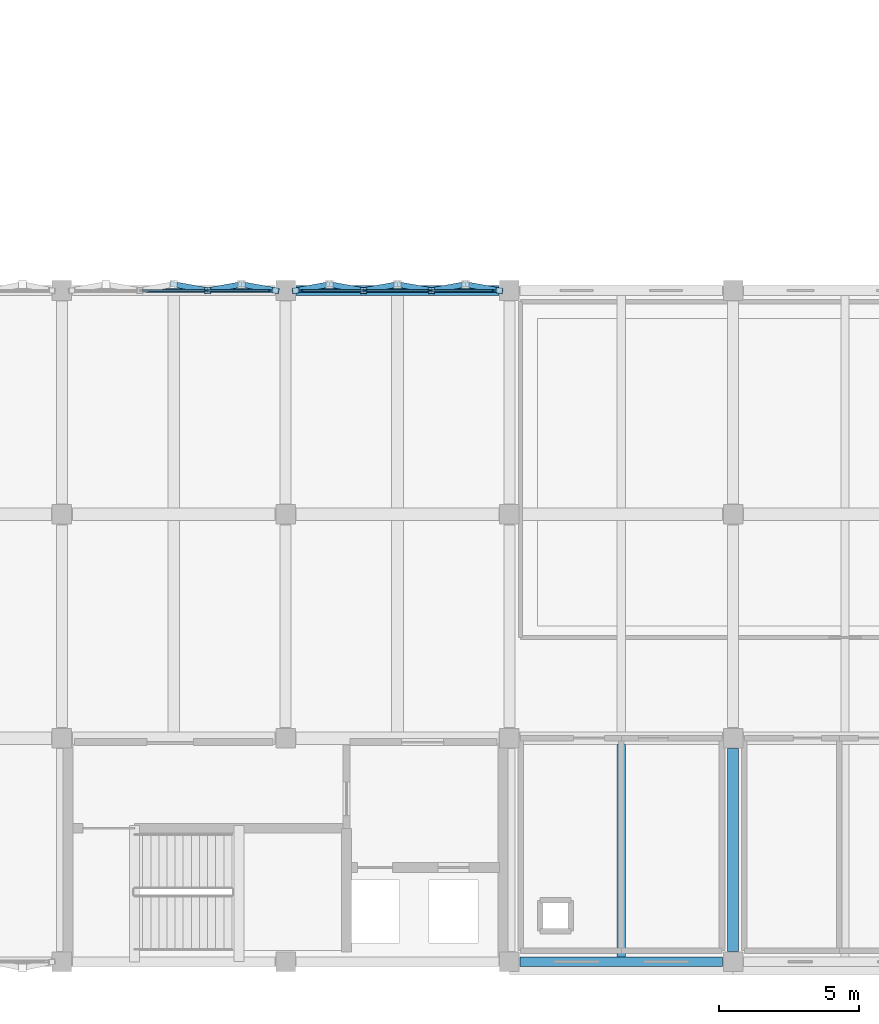
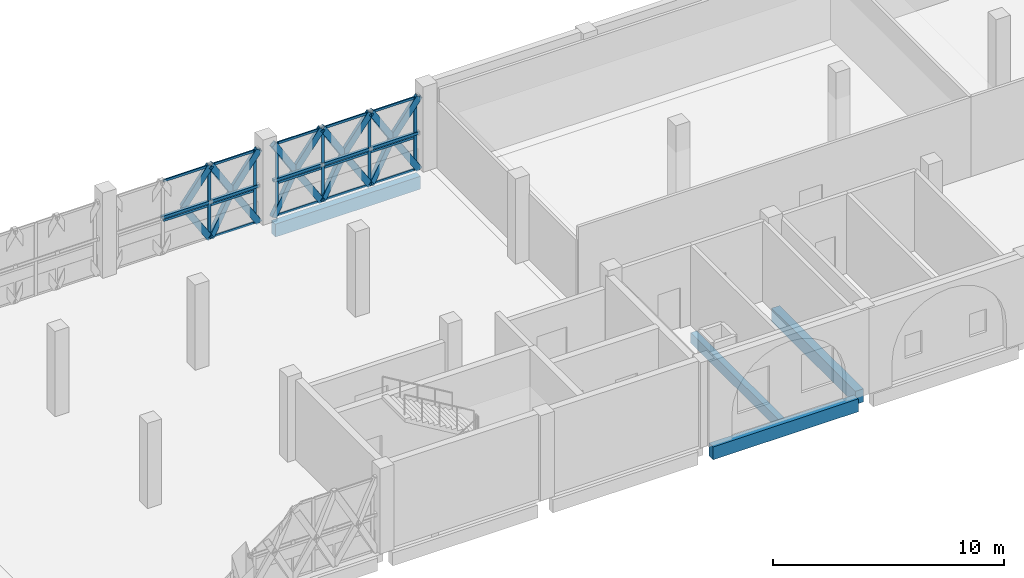
# One storey, part 16 of 45: 43 members, 4 beams, 2 elements without a shape of their own.
"""IFC4 building model written with IfcOpenShell, lengths in metres."""

from ifc_helpers import new_model, si_unit, direction, frame, origin, origin_2d, place, context, subcontext, project, spatial, rectangle, hollow_rectangle, extrude, material, layer, layer_set, material_profile, profile_set, type_object, element, aggregate, save


model = new_model("IFC4")

# Units and contexts
model_context = context("Model", 3, precision=1e-05, world=origin(), true_north=direction((0.0, 1.0)))
body_context = subcontext(model_context, "Body", "Model", "MODEL_VIEW")
ifc_project = project(units=[si_unit("LENGTHUNIT", "METRE"), si_unit("AREAUNIT", "SQUARE_METRE"), si_unit("VOLUMEUNIT", "CUBIC_METRE"), si_unit("PLANEANGLEUNIT", "RADIAN"), si_unit("MASSUNIT", "GRAM", prefix="KILO")], contexts=[model_context])

# Site, building, storey
site_placement = place(None, origin())
site = spatial("IfcSite", under=ifc_project, at=site_placement, CompositionType="ELEMENT")
building_placement = place(site_placement, origin())
building = spatial("IfcBuilding", under=site, at=building_placement, Name="Qorikala Patio Media Centre", CompositionType="ELEMENT")
storey_placement = place(building_placement, frame((0.0, 0.0, 9.89990234375)))
storey = spatial("IfcBuildingStorey", under=building, at=storey_placement, Name="L02", CompositionType="ELEMENT", Elevation=9.89990234375)

# Beam
ifc_material_1 = material(Name="Concrete C35/45", Category="concrete")
ifc_material_profile_1 = material_profile(ifc_material_1, rectangle(XDim=0.39990234375, YDim=0.699951171875, at=origin_2d()), Name="RC 400x700")
ifc_profile_set_1 = profile_set([ifc_material_profile_1], Name="Concrete C35/45")
beam_type_1 = type_object("IfcBeamType", Name="BM-G400X700", PredefinedType="BEAM", material=ifc_profile_set_1)
beam_1_placement = place(storey_placement, frame((106.0, 3.375, -0.64990234375), z_axis=(0.0, 1.0, 0.0), x_axis=(-1.0, 0.0, 0.0)))
element("IfcBeam", 1, at=beam_1_placement, inside=storey, type_object=beam_type_1, Name="L02 Grid X=106 Beam 0986", PredefinedType="BEAM", context=body_context, shape_type="SweptSolid", body=[
    extrude(rectangle(XDim=0.39990234375, YDim=0.699951171875, at=origin_2d()), origin(), (0.0, 0.0, 1.0), 7.25),
])

# Members
ifc_material_2 = material(Name="Golden Bronze Coated Steel S355", Category="steel")
ifc_material_profile_2 = material_profile(ifc_material_2, hollow_rectangle(XDim=0.139892578125, YDim=0.139892578125, WallThickness=0.006103515625, at=origin_2d()), Name="HSS140X140X6")
ifc_profile_set_2 = profile_set([ifc_material_profile_2], Name="Golden Bronze Coated Steel S355")
member_type_1 = type_object("IfcMemberType", Name="BRACE-DIA140", PredefinedType="BRACE", material=ifc_profile_set_2)
member_1_placement = place(storey_placement, frame((84.78662109375, 27.0, 1.925048828125), z_axis=(1.0, 0.0, 0.0), x_axis=(0.0, 1.0, 0.0)))
element("IfcMember", 2, at=member_1_placement, inside=storey, type_object=member_type_1, Name="L02 Diamond Fold Tie 062", PredefinedType="BRACE", context=body_context, shape_type="SweptSolid", body=[
    extrude(hollow_rectangle(XDim=0.139892578125, YDim=0.139892578125, WallThickness=0.006103515625, at=origin_2d()), origin(), (0.0, 0.0, 1.0), 2.4267578125),
])
for number, where, z_axis, x_axis, name in (
    (3, (87.21337890625, 27.0, 1.925048828125), (1.0, 0.0, 0.0), (0.0, 1.0, 0.0), "L02 Diamond Fold Tie 063"),
    (4, (90.360107421875, 27.0, 1.925048828125), (1.0, 0.0, 0.0), (0.0, 1.0, 0.0), "L02 Diamond Fold Tie 064"),
):
    element("IfcMember", number, at=place(storey_placement, frame(where, z_axis=z_axis, x_axis=x_axis)), inside=storey, type_object=member_type_1, Name=name, PredefinedType="BRACE", context=body_context, shape_type="SweptSolid", body=[
        extrude(hollow_rectangle(XDim=0.139892578125, YDim=0.139892578125, WallThickness=0.006103515625, at=origin_2d()), origin(), (0.0, 0.0, 1.0), 2.426513671875),
    ])
member_2_placement = place(storey_placement, frame((92.78662109375, 27.0, 1.925048828125), z_axis=(1.0, 0.0, 0.0), x_axis=(0.0, 1.0, 0.0)))
element("IfcMember", 5, at=member_2_placement, inside=storey, type_object=member_type_1, Name="L02 Diamond Fold Tie 065", PredefinedType="BRACE", context=body_context, shape_type="SweptSolid", body=[
    extrude(hollow_rectangle(XDim=0.139892578125, YDim=0.139892578125, WallThickness=0.006103515625, at=origin_2d()), origin(), (0.0, 0.0, 1.0), 2.4267578125),
])
member_3_placement = place(storey_placement, frame((95.21337890625, 27.0, 1.925048828125), z_axis=(1.0, 0.0, 0.0), x_axis=(0.0, 1.0, 0.0)))
element("IfcMember", 6, at=member_3_placement, inside=storey, type_object=member_type_1, Name="L02 Diamond Fold Tie 066", PredefinedType="BRACE", context=body_context, shape_type="SweptSolid", body=[
    extrude(hollow_rectangle(XDim=0.139892578125, YDim=0.139892578125, WallThickness=0.006103515625, at=origin_2d()), origin(), (0.0, 0.0, 1.0), 2.426513671875),
])

# Curtain wall, members
ifc_material_3 = material(Name="Golden Bronze Anodised Aluminium and Low-E Glass", Category="aluminium")
ifc_layer = layer(ifc_material_3, 0.159912109375)
ifc_layer_set = layer_set([ifc_layer], Name="Golden Bronze Anodised Aluminium and Low-E Glass")
curtain_wall_type = type_object("IfcCurtainWallType", Name="CW-DIA-696X385", PredefinedType="USERDEFINED", material=ifc_layer_set)
curtain_wall_1_placement = place(storey_placement, origin())
curtain_wall_1 = element("IfcCurtainWall", 7, at=curtain_wall_1_placement, inside=storey, type_object=curtain_wall_type, Name="L02 Courtyard Curtain Wall 062", ObjectType="COURTYARD CURTAIN WALL", PredefinedType="USERDEFINED")
ifc_material_4 = material(Name="Golden Bronze Anodised Aluminium", Category="aluminium")
ifc_material_profile_3 = material_profile(ifc_material_4, rectangle(XDim=0.06494140625, YDim=0.14990234375, at=origin_2d()), Name="ALU MULLION 65x150")
ifc_profile_set_3 = profile_set([ifc_material_profile_3], Name="Golden Bronze Anodised Aluminium")
member_type_2 = type_object("IfcMemberType", Name="CWM-65X150", PredefinedType="MULLION", material=ifc_profile_set_3)
member_4_placement = place(storey_placement, frame((87.159912109375, 27.0, 0.0), z_axis=(0.0, 0.0, 1.0), x_axis=(0.0, 1.0, 0.0)))
member_4 = element("IfcMember", 8, at=member_4_placement, type_object=member_type_2, Name="CWD696385 mullion 3", PredefinedType="MULLION", context=body_context, shape_type="SweptSolid", body=[
    extrude(rectangle(XDim=0.06494140625, YDim=0.14990234375, at=origin_2d()), origin(), (0.0, 0.0, 1.0), 3.85009765625),
])
member_5_placement = place(storey_placement, frame((89.447509765625, 27.0, 0.0), z_axis=(0.0, 0.0, 1.0), x_axis=(0.0, 1.0, 0.0)))
member_5 = element("IfcMember", 9, at=member_5_placement, type_object=member_type_2, Name="CWD696385 mullion 4", PredefinedType="MULLION", context=body_context, shape_type="SweptSolid", body=[
    extrude(rectangle(XDim=0.06494140625, YDim=0.14990234375, at=origin_2d()), origin(), (0.0, 0.0, 1.0), 3.85009765625),
])

curtain_wall_2_placement = place(storey_placement, origin())
curtain_wall_2 = element("IfcCurtainWall", 10, at=curtain_wall_2_placement, inside=storey, type_object=curtain_wall_type, Name="L02 Courtyard Curtain Wall 063", ObjectType="COURTYARD CURTAIN WALL", PredefinedType="USERDEFINED")
member_6_placement = place(storey_placement, frame((90.552490234375, 27.0, 0.0), z_axis=(0.0, 0.0, 1.0), x_axis=(0.0, 1.0, 0.0)))
member_6 = element("IfcMember", 11, at=member_6_placement, type_object=member_type_2, Name="CWD696385 mullion 1", PredefinedType="MULLION", context=body_context, shape_type="SweptSolid", body=[
    extrude(rectangle(XDim=0.06494140625, YDim=0.14990234375, at=origin_2d()), origin(), (0.0, 0.0, 1.0), 3.85009765625),
])
member_7_placement = place(storey_placement, frame((92.840087890625, 27.0, 0.0), z_axis=(0.0, 0.0, 1.0), x_axis=(0.0, 1.0, 0.0)))
member_7 = element("IfcMember", 12, at=member_7_placement, type_object=member_type_2, Name="CWD696385 mullion 2", PredefinedType="MULLION", context=body_context, shape_type="SweptSolid", body=[
    extrude(rectangle(XDim=0.06494140625, YDim=0.14990234375, at=origin_2d()), origin(), (0.0, 0.0, 1.0), 3.85009765625),
])
member_8_placement = place(storey_placement, frame((95.159912109375, 27.0, 0.0), z_axis=(0.0, 0.0, 1.0), x_axis=(0.0, 1.0, 0.0)))
member_8 = element("IfcMember", 13, at=member_8_placement, type_object=member_type_2, Name="CWD696385 mullion 3", PredefinedType="MULLION", context=body_context, shape_type="SweptSolid", body=[
    extrude(rectangle(XDim=0.06494140625, YDim=0.14990234375, at=origin_2d()), origin(), (0.0, 0.0, 1.0), 3.85009765625),
])
member_9_placement = place(storey_placement, frame((97.447509765625, 27.0, 0.0), z_axis=(0.0, 0.0, 1.0), x_axis=(0.0, 1.0, 0.0)))
member_9 = element("IfcMember", 14, at=member_9_placement, type_object=member_type_2, Name="CWD696385 mullion 4", PredefinedType="MULLION", context=body_context, shape_type="SweptSolid", body=[
    extrude(rectangle(XDim=0.06494140625, YDim=0.14990234375, at=origin_2d()), origin(), (0.0, 0.0, 1.0), 3.85009765625),
])

# Member
ifc_material_profile_4 = material_profile(ifc_material_4, rectangle(XDim=0.06494140625, YDim=0.1201171875, at=origin_2d()), Name="ALU TRANSOM 65x120")
ifc_profile_set_4 = profile_set([ifc_material_profile_4], Name="Golden Bronze Anodised Aluminium")
member_type_3 = type_object("IfcMemberType", Name="CWT-65X120", PredefinedType="USERDEFINED", material=ifc_profile_set_4)
member_10_placement = place(storey_placement, frame((84.87255859375, 27.0, 1.732666015625), z_axis=(1.0, 0.0, 0.0), x_axis=(0.0, 1.0, 0.0)))
member_10 = element("IfcMember", 15, at=member_10_placement, type_object=member_type_3, Name="CWD696385 transom 2.2", ObjectType="TRANSOM", PredefinedType="USERDEFINED", context=body_context, shape_type="SweptSolid", body=[
    extrude(rectangle(XDim=0.06494140625, YDim=0.1201171875, at=origin_2d()), origin(), (0.0, 0.0, 1.0), 2.2548828125),
])

member_11_placement = place(storey_placement, frame((84.87255859375, 27.0, 3.817626953125), z_axis=(1.0, 0.0, 0.0), x_axis=(0.0, 1.0, 0.0)))
member_11 = element("IfcMember", 16, at=member_11_placement, type_object=member_type_3, Name="CWD696385 transom 2.3", ObjectType="TRANSOM", PredefinedType="USERDEFINED", context=body_context, shape_type="SweptSolid", body=[
    extrude(rectangle(XDim=0.06494140625, YDim=0.1201171875, at=origin_2d()), origin(), (0.0, 0.0, 1.0), 2.2548828125),
])

member_12_placement = place(storey_placement, frame((87.1923828125, 27.0, 0.03271484375), z_axis=(1.0, 0.0, 0.0), x_axis=(0.0, 1.0, 0.0)))
member_12 = element("IfcMember", 17, at=member_12_placement, type_object=member_type_3, Name="CWD696385 transom 3.1", ObjectType="TRANSOM", PredefinedType="USERDEFINED", context=body_context, shape_type="SweptSolid", body=[
    extrude(rectangle(XDim=0.06494140625, YDim=0.1201171875, at=origin_2d()), origin(), (0.0, 0.0, 1.0), 2.22265625),
])

member_13_placement = place(storey_placement, frame((87.1923828125, 27.0, 1.732666015625), z_axis=(1.0, 0.0, 0.0), x_axis=(0.0, 1.0, 0.0)))
member_13 = element("IfcMember", 18, at=member_13_placement, type_object=member_type_3, Name="CWD696385 transom 3.2", ObjectType="TRANSOM", PredefinedType="USERDEFINED", context=body_context, shape_type="SweptSolid", body=[
    extrude(rectangle(XDim=0.06494140625, YDim=0.1201171875, at=origin_2d()), origin(), (0.0, 0.0, 1.0), 2.22265625),
])

member_14_placement = place(storey_placement, frame((87.1923828125, 27.0, 3.817626953125), z_axis=(1.0, 0.0, 0.0), x_axis=(0.0, 1.0, 0.0)))
member_14 = element("IfcMember", 19, at=member_14_placement, type_object=member_type_3, Name="CWD696385 transom 3.3", ObjectType="TRANSOM", PredefinedType="USERDEFINED", context=body_context, shape_type="SweptSolid", body=[
    extrude(rectangle(XDim=0.06494140625, YDim=0.1201171875, at=origin_2d()), origin(), (0.0, 0.0, 1.0), 2.22265625),
])

aggregate(curtain_wall_1, [member_4, member_5, member_10, member_11, member_12, member_13, member_14])

member_15_placement = place(storey_placement, frame((90.5849609375, 27.0, 0.03271484375), z_axis=(1.0, 0.0, 0.0), x_axis=(0.0, 1.0, 0.0)))
member_15 = element("IfcMember", 20, at=member_15_placement, type_object=member_type_3, Name="CWD696385 transom 1.1", ObjectType="TRANSOM", PredefinedType="USERDEFINED", context=body_context, shape_type="SweptSolid", body=[
    extrude(rectangle(XDim=0.06494140625, YDim=0.1201171875, at=origin_2d()), origin(), (0.0, 0.0, 1.0), 2.22265625),
])

member_16_placement = place(storey_placement, frame((90.5849609375, 27.0, 1.732666015625), z_axis=(1.0, 0.0, 0.0), x_axis=(0.0, 1.0, 0.0)))
member_16 = element("IfcMember", 21, at=member_16_placement, type_object=member_type_3, Name="CWD696385 transom 1.2", ObjectType="TRANSOM", PredefinedType="USERDEFINED", context=body_context, shape_type="SweptSolid", body=[
    extrude(rectangle(XDim=0.06494140625, YDim=0.1201171875, at=origin_2d()), origin(), (0.0, 0.0, 1.0), 2.22265625),
])

member_17_placement = place(storey_placement, frame((90.5849609375, 27.0, 3.817626953125), z_axis=(1.0, 0.0, 0.0), x_axis=(0.0, 1.0, 0.0)))
member_17 = element("IfcMember", 22, at=member_17_placement, type_object=member_type_3, Name="CWD696385 transom 1.3", ObjectType="TRANSOM", PredefinedType="USERDEFINED", context=body_context, shape_type="SweptSolid", body=[
    extrude(rectangle(XDim=0.06494140625, YDim=0.1201171875, at=origin_2d()), origin(), (0.0, 0.0, 1.0), 2.22265625),
])

member_18_placement = place(storey_placement, frame((92.87255859375, 27.0, 0.03271484375), z_axis=(1.0, 0.0, 0.0), x_axis=(0.0, 1.0, 0.0)))
member_18 = element("IfcMember", 23, at=member_18_placement, type_object=member_type_3, Name="CWD696385 transom 2.1", ObjectType="TRANSOM", PredefinedType="USERDEFINED", context=body_context, shape_type="SweptSolid", body=[
    extrude(rectangle(XDim=0.06494140625, YDim=0.1201171875, at=origin_2d()), origin(), (0.0, 0.0, 1.0), 2.2548828125),
])

member_19_placement = place(storey_placement, frame((92.87255859375, 27.0, 1.732666015625), z_axis=(1.0, 0.0, 0.0), x_axis=(0.0, 1.0, 0.0)))
member_19 = element("IfcMember", 24, at=member_19_placement, type_object=member_type_3, Name="CWD696385 transom 2.2", ObjectType="TRANSOM", PredefinedType="USERDEFINED", context=body_context, shape_type="SweptSolid", body=[
    extrude(rectangle(XDim=0.06494140625, YDim=0.1201171875, at=origin_2d()), origin(), (0.0, 0.0, 1.0), 2.2548828125),
])

member_20_placement = place(storey_placement, frame((92.87255859375, 27.0, 3.817626953125), z_axis=(1.0, 0.0, 0.0), x_axis=(0.0, 1.0, 0.0)))
member_20 = element("IfcMember", 25, at=member_20_placement, type_object=member_type_3, Name="CWD696385 transom 2.3", ObjectType="TRANSOM", PredefinedType="USERDEFINED", context=body_context, shape_type="SweptSolid", body=[
    extrude(rectangle(XDim=0.06494140625, YDim=0.1201171875, at=origin_2d()), origin(), (0.0, 0.0, 1.0), 2.2548828125),
])

member_21_placement = place(storey_placement, frame((95.1923828125, 27.0, 0.03271484375), z_axis=(1.0, 0.0, 0.0), x_axis=(0.0, 1.0, 0.0)))
member_21 = element("IfcMember", 26, at=member_21_placement, type_object=member_type_3, Name="CWD696385 transom 3.1", ObjectType="TRANSOM", PredefinedType="USERDEFINED", context=body_context, shape_type="SweptSolid", body=[
    extrude(rectangle(XDim=0.06494140625, YDim=0.1201171875, at=origin_2d()), origin(), (0.0, 0.0, 1.0), 2.22265625),
])

member_22_placement = place(storey_placement, frame((95.1923828125, 27.0, 1.732666015625), z_axis=(1.0, 0.0, 0.0), x_axis=(0.0, 1.0, 0.0)))
member_22 = element("IfcMember", 27, at=member_22_placement, type_object=member_type_3, Name="CWD696385 transom 3.2", ObjectType="TRANSOM", PredefinedType="USERDEFINED", context=body_context, shape_type="SweptSolid", body=[
    extrude(rectangle(XDim=0.06494140625, YDim=0.1201171875, at=origin_2d()), origin(), (0.0, 0.0, 1.0), 2.22265625),
])

member_23_placement = place(storey_placement, frame((95.1923828125, 27.0, 3.817626953125), z_axis=(1.0, 0.0, 0.0), x_axis=(0.0, 1.0, 0.0)))
member_23 = element("IfcMember", 28, at=member_23_placement, type_object=member_type_3, Name="CWD696385 transom 3.3", ObjectType="TRANSOM", PredefinedType="USERDEFINED", context=body_context, shape_type="SweptSolid", body=[
    extrude(rectangle(XDim=0.06494140625, YDim=0.1201171875, at=origin_2d()), origin(), (0.0, 0.0, 1.0), 2.22265625),
])

aggregate(curtain_wall_2, [member_6, member_7, member_8, member_9, member_15, member_16, member_17, member_18, member_19, member_20, member_21, member_22, member_23])

# Beams
ifc_material_profile_5 = material_profile(ifc_material_1, rectangle(XDim=0.300048828125, YDim=0.550048828125, at=origin_2d()), Name="RC 300x550")
ifc_profile_set_5 = profile_set([ifc_material_profile_5], Name="Concrete C35/45")
beam_type_2 = type_object("IfcBeamType", Name="JS-300X550", PredefinedType="JOIST", material=ifc_profile_set_5)
beam_2_placement = place(storey_placement, frame((102.0, 3.175048828125, -0.574951171875), z_axis=(0.0, 1.0, 0.0), x_axis=(-1.0, 0.0, 0.0)))
element("IfcBeam", 29, at=beam_2_placement, inside=storey, type_object=beam_type_2, Name="L02 Secondary Joist 1081", PredefinedType="JOIST", context=body_context, shape_type="SweptSolid", body=[
    extrude(rectangle(XDim=0.300048828125, YDim=0.550048828125, at=origin_2d()), origin(), (0.0, 0.0, 1.0), 7.599853515625),
])
ifc_material_profile_6 = material_profile(ifc_material_1, rectangle(XDim=0.35009765625, YDim=0.679931640625, at=origin_2d()), Name="RC 350x680")
ifc_profile_set_6 = profile_set([ifc_material_profile_6], Name="Concrete C35/45")
beam_type_3 = type_object("IfcBeamType", Name="SP-350X680", PredefinedType="SPANDREL", material=ifc_profile_set_6)
for number, where, z_axis, x_axis, name in (
    (30, (98.375, 3.0, -0.639892578125), (1.0, 0.0, 0.0), (0.0, 1.0, 0.0), "L02 Grid 3 Beam 0767"),
    (31, (90.375, 27.0, -0.639892578125), (1.0, 0.0, 0.0), (0.0, 1.0, 0.0), "L02 Grid 27 Beam 0824"),
):
    element("IfcBeam", number, at=place(storey_placement, frame(where, z_axis=z_axis, x_axis=x_axis)), inside=storey, type_object=beam_type_3, Name=name, PredefinedType="SPANDREL", context=body_context, shape_type="SweptSolid", body=[
        extrude(rectangle(XDim=0.35009765625, YDim=0.679931640625, at=origin_2d()), origin(), (0.0, 0.0, 1.0), 7.25),
    ])

# Members
ifc_material_profile_7 = material_profile(ifc_material_2, hollow_rectangle(XDim=0.199951171875, YDim=0.300048828125, WallThickness=0.011962890625, at=origin_2d()), Name="HSS300X200X12")
ifc_profile_set_7 = profile_set([ifc_material_profile_7], Name="Golden Bronze Coated Steel S355")
member_type_4 = type_object("IfcMemberType", Name="STRUT-DIA300", PredefinedType="STRUT", material=ifc_profile_set_7)
for number, where, z_axis, x_axis, name in (
    (32, (87.21337890625, 27.0, 0.0), (-0.530768093717, 0.095901357778, 0.842073726148), (-0.177805036072, -0.98406573416, 0.0), "L02 Diamond Foyer Fold Strut 062-DL2"),
    (33, (86.0, 27.21923828125, 1.925048828125), (0.530768093717, -0.095901357778, 0.842073726148), (0.177805036072, 0.98406573416, 0.0), "L02 Diamond Foyer Fold Strut 062-DU2"),
    (34, (87.21337890625, 27.0, 0.0), (0.530768093717, 0.095901357778, 0.842073726148), (-0.177805036072, 0.98406573416, 0.0), "L02 Diamond Foyer Fold Strut 063-DL1"),
):
    element("IfcMember", number, at=place(storey_placement, frame(where, z_axis=z_axis, x_axis=x_axis)), inside=storey, type_object=member_type_4, Name=name, PredefinedType="STRUT", context=body_context, shape_type="SweptSolid", body=[
        extrude(hollow_rectangle(XDim=0.199951171875, YDim=0.300048828125, WallThickness=0.011962890625, at=origin_2d()), origin(), (0.0, 0.0, 1.0), 2.2861328125),
    ])
member_24_placement = place(storey_placement, frame((89.639892578125, 27.0, 0.0), z_axis=(-0.530691378365, 0.095906793675, 0.842121456713), x_axis=(-0.17783968734, -0.984059472596, 0.0)))
element("IfcMember", 35, at=member_24_placement, inside=storey, type_object=member_type_4, Name="L02 Diamond Foyer Fold Strut 063-DL2", PredefinedType="STRUT", context=body_context, shape_type="SweptSolid", body=[
    extrude(hollow_rectangle(XDim=0.199951171875, YDim=0.300048828125, WallThickness=0.011962890625, at=origin_2d()), origin(), (0.0, 0.0, 1.0), 2.285888671875),
])
member_25_placement = place(storey_placement, frame((88.4267578125, 27.21923828125, 1.925048828125), z_axis=(-0.530768093717, -0.095901357778, 0.842073726148), x_axis=(0.177805036072, -0.98406573416, 0.0)))
element("IfcMember", 36, at=member_25_placement, inside=storey, type_object=member_type_4, Name="L02 Diamond Foyer Fold Strut 063-DU1", PredefinedType="STRUT", context=body_context, shape_type="SweptSolid", body=[
    extrude(hollow_rectangle(XDim=0.199951171875, YDim=0.300048828125, WallThickness=0.011962890625, at=origin_2d()), origin(), (0.0, 0.0, 1.0), 2.2861328125),
])
for number, where, z_axis, x_axis, name in (
    (37, (88.4267578125, 27.21923828125, 1.925048828125), (0.530691378365, -0.095906793675, 0.842121456713), (0.17783968734, 0.984059472596, 0.0), "L02 Diamond Foyer Fold Strut 063-DU2"),
    (38, (90.360107421875, 27.0, 0.0), (0.530691378365, 0.095906793675, 0.842121456713), (-0.17783968734, 0.984059472596, 0.0), "L02 Diamond Foyer Fold Strut 064-DL1"),
):
    element("IfcMember", number, at=place(storey_placement, frame(where, z_axis=z_axis, x_axis=x_axis)), inside=storey, type_object=member_type_4, Name=name, PredefinedType="STRUT", context=body_context, shape_type="SweptSolid", body=[
        extrude(hollow_rectangle(XDim=0.199951171875, YDim=0.300048828125, WallThickness=0.011962890625, at=origin_2d()), origin(), (0.0, 0.0, 1.0), 2.285888671875),
    ])
member_26_placement = place(storey_placement, frame((92.78662109375, 27.0, 0.0), z_axis=(-0.530768093717, 0.095901357778, 0.842073726148), x_axis=(-0.177805036072, -0.98406573416, 0.0)))
element("IfcMember", 39, at=member_26_placement, inside=storey, type_object=member_type_4, Name="L02 Diamond Foyer Fold Strut 064-DL2", PredefinedType="STRUT", context=body_context, shape_type="SweptSolid", body=[
    extrude(hollow_rectangle(XDim=0.199951171875, YDim=0.300048828125, WallThickness=0.011962890625, at=origin_2d()), origin(), (0.0, 0.0, 1.0), 2.2861328125),
])
member_27_placement = place(storey_placement, frame((91.5732421875, 27.21923828125, 1.925048828125), z_axis=(-0.530691378365, -0.095906793675, 0.842121456713), x_axis=(0.17783968734, -0.984059472596, 0.0)))
element("IfcMember", 40, at=member_27_placement, inside=storey, type_object=member_type_4, Name="L02 Diamond Foyer Fold Strut 064-DU1", PredefinedType="STRUT", context=body_context, shape_type="SweptSolid", body=[
    extrude(hollow_rectangle(XDim=0.199951171875, YDim=0.300048828125, WallThickness=0.011962890625, at=origin_2d()), origin(), (0.0, 0.0, 1.0), 2.285888671875),
])
for number, where, z_axis, x_axis, name in (
    (41, (91.5732421875, 27.21923828125, 1.925048828125), (0.530768093717, -0.095901357778, 0.842073726148), (0.177805036072, 0.98406573416, 0.0), "L02 Diamond Foyer Fold Strut 064-DU2"),
    (42, (92.78662109375, 27.0, 0.0), (0.530768093717, 0.095901357778, 0.842073726148), (-0.177805036072, 0.98406573416, 0.0), "L02 Diamond Foyer Fold Strut 065-DL1"),
    (43, (95.21337890625, 27.0, 0.0), (-0.530768093717, 0.095901357778, 0.842073726148), (-0.177805036072, -0.98406573416, 0.0), "L02 Diamond Foyer Fold Strut 065-DL2"),
    (44, (94.0, 27.21923828125, 1.925048828125), (-0.530768093717, -0.095901357778, 0.842073726148), (0.177805036072, -0.98406573416, 0.0), "L02 Diamond Foyer Fold Strut 065-DU1"),
    (45, (94.0, 27.21923828125, 1.925048828125), (0.530768093717, -0.095901357778, 0.842073726148), (0.177805036072, 0.98406573416, 0.0), "L02 Diamond Foyer Fold Strut 065-DU2"),
    (46, (95.21337890625, 27.0, 0.0), (0.530768093717, 0.095901357778, 0.842073726148), (-0.177805036072, 0.98406573416, 0.0), "L02 Diamond Foyer Fold Strut 066-DL1"),
):
    element("IfcMember", number, at=place(storey_placement, frame(where, z_axis=z_axis, x_axis=x_axis)), inside=storey, type_object=member_type_4, Name=name, PredefinedType="STRUT", context=body_context, shape_type="SweptSolid", body=[
        extrude(hollow_rectangle(XDim=0.199951171875, YDim=0.300048828125, WallThickness=0.011962890625, at=origin_2d()), origin(), (0.0, 0.0, 1.0), 2.2861328125),
    ])
member_28_placement = place(storey_placement, frame((97.639892578125, 27.0, 0.0), z_axis=(-0.530691378365, 0.095906793675, 0.842121456713), x_axis=(-0.17783968734, -0.984059472596, 0.0)))
element("IfcMember", 47, at=member_28_placement, inside=storey, type_object=member_type_4, Name="L02 Diamond Foyer Fold Strut 066-DL2", PredefinedType="STRUT", context=body_context, shape_type="SweptSolid", body=[
    extrude(hollow_rectangle(XDim=0.199951171875, YDim=0.300048828125, WallThickness=0.011962890625, at=origin_2d()), origin(), (0.0, 0.0, 1.0), 2.285888671875),
])
member_29_placement = place(storey_placement, frame((96.4267578125, 27.21923828125, 1.925048828125), z_axis=(-0.530768093717, -0.095901357778, 0.842073726148), x_axis=(0.177805036072, -0.98406573416, 0.0)))
element("IfcMember", 48, at=member_29_placement, inside=storey, type_object=member_type_4, Name="L02 Diamond Foyer Fold Strut 066-DU1", PredefinedType="STRUT", context=body_context, shape_type="SweptSolid", body=[
    extrude(hollow_rectangle(XDim=0.199951171875, YDim=0.300048828125, WallThickness=0.011962890625, at=origin_2d()), origin(), (0.0, 0.0, 1.0), 2.2861328125),
])
member_30_placement = place(storey_placement, frame((96.4267578125, 27.21923828125, 1.925048828125), z_axis=(0.530691378365, -0.095906793675, 0.842121456713), x_axis=(0.17783968734, 0.984059472596, 0.0)))
element("IfcMember", 49, at=member_30_placement, inside=storey, type_object=member_type_4, Name="L02 Diamond Foyer Fold Strut 066-DU2", PredefinedType="STRUT", context=body_context, shape_type="SweptSolid", body=[
    extrude(hollow_rectangle(XDim=0.199951171875, YDim=0.300048828125, WallThickness=0.011962890625, at=origin_2d()), origin(), (0.0, 0.0, 1.0), 2.285888671875),
])

save(model, "model.ifc")
